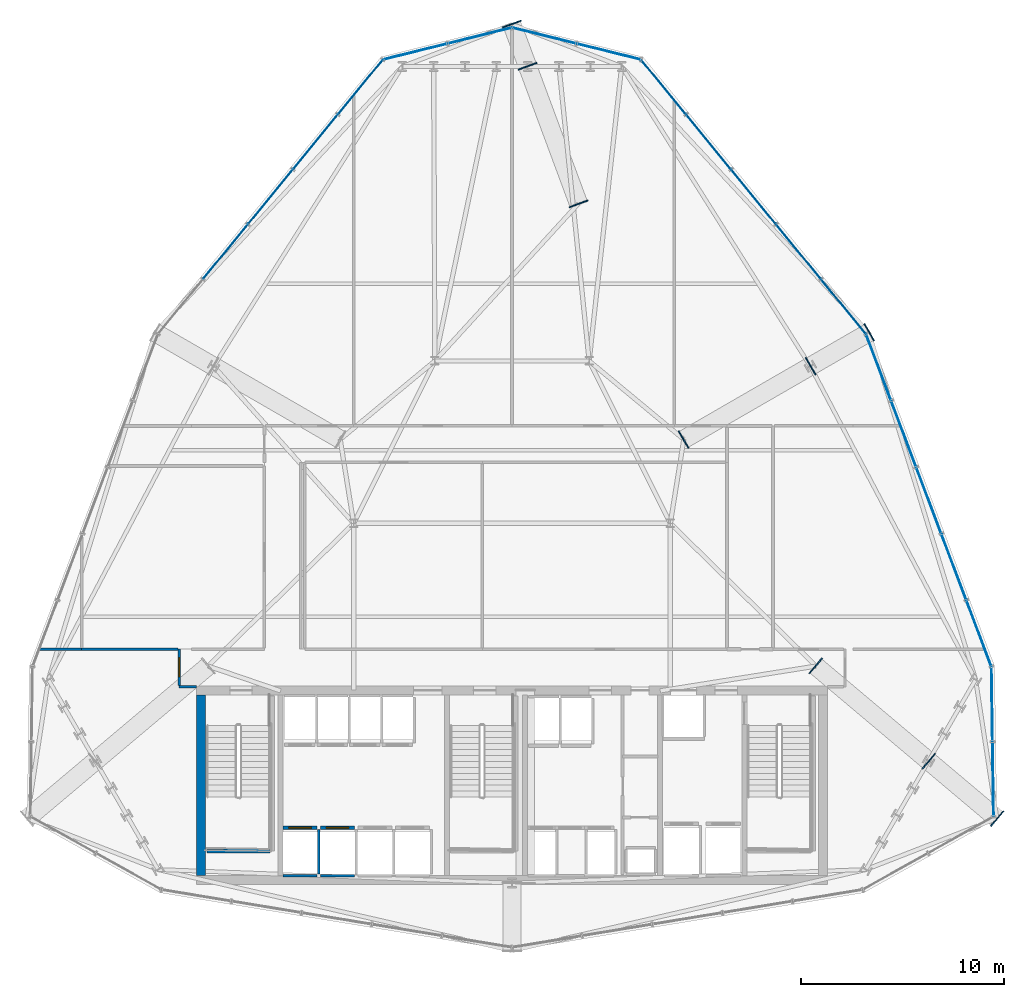
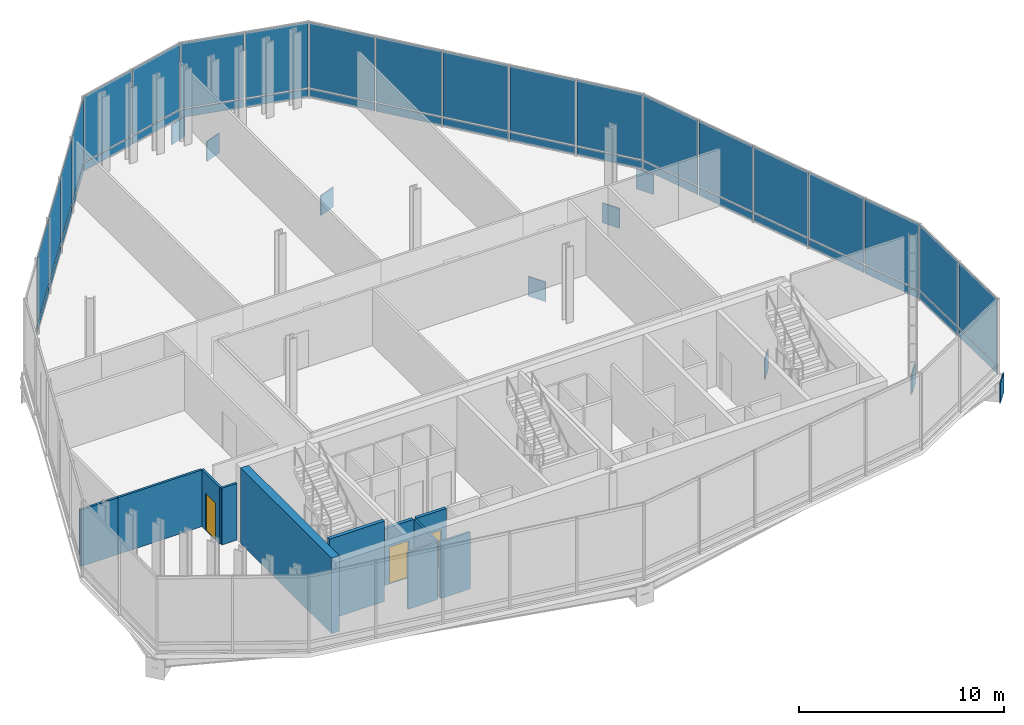
# One storey, part 20 of 26: 49 plates, 11 walls, 3 doors, 3 openings, 6 elements without a shape of their own.
"""IFC4 building model written with IfcOpenShell, lengths in metres."""

from ifc_helpers import new_model, si_unit, direction, frame, frame_2d, origin, origin_2d, place, context, subcontext, project, spatial, rectangle, extrude, material, layer, layer_set, type_object, element, fill, aggregate, save


model = new_model("IFC4")

# Units and contexts
model_context = context("Model", 3, precision=1e-05, world=origin(), true_north=direction((0.0, 1.0)))
body_context = subcontext(model_context, "Body", "Model", "MODEL_VIEW")
ifc_project = project(units=[si_unit("LENGTHUNIT", "METRE"), si_unit("AREAUNIT", "SQUARE_METRE"), si_unit("VOLUMEUNIT", "CUBIC_METRE"), si_unit("PLANEANGLEUNIT", "RADIAN"), si_unit("MASSUNIT", "GRAM", prefix="KILO")], contexts=[model_context])

# Site, building, storey
site_placement = place(None, origin())
site = spatial("IfcSite", under=ifc_project, at=site_placement, CompositionType="ELEMENT")
building_placement = place(site_placement, origin())
building = spatial("IfcBuilding", under=site, at=building_placement, Name="Ndaravel Arena Tower", CompositionType="ELEMENT")
storey_placement = place(building_placement, frame((0.0, 0.0, 117.39990234375)))
storey = spatial("IfcBuildingStorey", under=building, at=storey_placement, Name="L27", CompositionType="ELEMENT", Elevation=117.39990234375)

# Plates
ifc_material_1 = material(Name="Steel S460", Category="steel")
ifc_layer_1 = layer(ifc_material_1, 0.06005859375)
ifc_layer_set_1 = layer_set([ifc_layer_1], Name="Steel S460")
plate_type_1 = type_object("IfcPlateType", Name="PLT-CAP-STF1", PredefinedType="USERDEFINED", material=ifc_layer_set_1)
for number, where, z_axis, x_axis, name in (
    (1, (56.96044921875, 16.17919921875, -1.419921875), (0.0, 0.0, 1.0), (0.764808968487, -0.64425712392, 0.0), "L27 Hollow Section Sealed End Cap Plate HCP-008"),
    (2, (62.533935546875, 11.48486328125, -1.419921875), (0.0, 0.0, 1.0), (0.764808968487, -0.64425712392, 0.0), "L27 Hollow Section Sealed End Cap Plate HCP-009"),
    (3, (65.89794921875, 8.651611328125, -1.419921875), (0.0, 0.0, 1.0), (0.764808968487, -0.64425712392, 0.0), "L27 Hollow Section Sealed End Cap Plate HCP-010"),
    (4, (50.449951171875, 27.330810546875, -1.419921875), (0.0, 0.0, 1.0), (0.866025403784, 0.5, 0.0), "L27 Hollow Section Sealed End Cap Plate HCP-011"),
    (5, (56.711181640625, 30.94580078125, -1.419921875), (0.0, 0.0, 1.0), (0.866025403784, 0.5, 0.0), "L27 Hollow Section Sealed End Cap Plate HCP-012"),
    (6, (59.59521484375, 32.61083984375, -1.419921875), (0.0, 0.0, 1.0), (0.866025403784, 0.5, 0.0), "L27 Hollow Section Sealed End Cap Plate HCP-013"),
    (7, (45.281494140625, 38.939453125, -1.419921875), (0.0, 0.0, 1.0), (-0.347917616161, 0.937525110258, 0.0), "L27 Hollow Section Sealed End Cap Plate HCP-014"),
    (8, (42.7666015625, 45.718017578125, -1.419921875), (0.0, 0.0, 1.0), (-0.347917616161, 0.937525110258, 0.0), "L27 Hollow Section Sealed End Cap Plate HCP-015"),
    (9, (41.994873046875, 47.798095703125, -1.419921875), (0.0, 0.0, 1.0), (-0.347917616161, 0.937525110258, 0.0), "L27 Hollow Section Sealed End Cap Plate HCP-016"),
):
    element("IfcPlate", number, at=place(storey_placement, frame(where, z_axis=z_axis, x_axis=x_axis)), inside=storey, type_object=plate_type_1, Name=name, ObjectType="STIFFENER_PLATE", PredefinedType="USERDEFINED", context=body_context, shape_type="SweptSolid", body=[
        extrude(rectangle(XDim=0.06005859375, YDim=0.97998046875, at=origin_2d()), origin(), (0.0, 0.0, 1.0), 1.179931640625),
    ])

# Curtain wall, plates
ifc_material_2 = material(Name="Aluminium", Category="aluminium")
ifc_layer_2 = layer(ifc_material_2, 0.179931640625)
ifc_layer_set_2 = layer_set([ifc_layer_2], Name="Aluminium")
curtain_wall_type = type_object("IfcCurtainWallType", Name="CW-SYS-04", PredefinedType="NOTDEFINED", material=ifc_layer_set_2)
curtain_wall_1_placement = place(storey_placement, origin())
curtain_wall_1 = element("IfcCurtainWall", 10, at=curtain_wall_1_placement, inside=storey, type_object=curtain_wall_type, Name="L27 Faceted Crystal Curtain Wall CW-L27-E05", PredefinedType="NOTDEFINED")
ifc_material_3 = material(Name="Glazing", Category="glass")
ifc_layer_3 = layer(ifc_material_3, 0.0400390625)
ifc_layer_set_3 = layer_set([ifc_layer_3], Name="Glazing")
plate_type_2 = type_object("IfcPlateType", Name="PLT-GLZ-LOWIRON", PredefinedType="CURTAIN_PANEL", material=ifc_layer_set_3)
plate_1_placement = place(storey_placement, frame((65.6982421875, 10.601318359375, 0.59033203125), z_axis=(0.0, 0.0, 1.0), x_axis=(-0.014503177598, 0.999894823389, 0.0)))
plate_1 = element("IfcPlate", 11, at=plate_1_placement, type_object=plate_type_2, Name="CW-L27-E05 Vision Glass Panel 01", PredefinedType="CURTAIN_PANEL", context=body_context, shape_type="SweptSolid", body=[
    extrude(rectangle(XDim=3.6142578125, YDim=0.035888671875, at=origin_2d()), origin(), (0.0, 0.0, 1.0), 3.889892578125),
])
plate_2_placement = place(storey_placement, frame((65.644775390625, 14.29541015625, 0.59033203125), z_axis=(0.0, 0.0, 1.0), x_axis=(-0.014503177598, 0.999894823389, 0.0)))
plate_2 = element("IfcPlate", 12, at=plate_2_placement, type_object=plate_type_2, Name="CW-L27-E05 Vision Glass Panel 02", PredefinedType="CURTAIN_PANEL", context=body_context, shape_type="SweptSolid", body=[
    extrude(rectangle(XDim=3.6142578125, YDim=0.035888671875, at=origin_2d()), origin(), (0.0, 0.0, 1.0), 3.889892578125),
])

curtain_wall_2_placement = place(storey_placement, origin())
curtain_wall_2 = element("IfcCurtainWall", 13, at=curtain_wall_2_placement, inside=storey, type_object=curtain_wall_type, Name="L27 Faceted Crystal Curtain Wall CW-L27-E06", PredefinedType="NOTDEFINED")
plate_3_placement = place(storey_placement, frame((65.00048828125, 17.7802734375, 0.59033203125), z_axis=(0.0, 0.0, 1.0), x_axis=(-0.352805363625, 0.935696732599, 0.0)))
plate_3 = element("IfcPlate", 14, at=plate_3_placement, type_object=plate_type_2, Name="CW-L27-E06 Vision Glass Panel 01", PredefinedType="CURTAIN_PANEL", context=body_context, shape_type="SweptSolid", body=[
    extrude(rectangle(XDim=3.421142578125, YDim=0.035888671875, at=origin_2d()), origin(), (0.0, 0.0, 1.0), 3.889892578125),
])
plate_4_placement = place(storey_placement, frame((63.76513671875, 21.056396484375, 0.59033203125), z_axis=(0.0, 0.0, 1.0), x_axis=(-0.352805363625, 0.935696732599, 0.0)))
plate_4 = element("IfcPlate", 15, at=plate_4_placement, type_object=plate_type_2, Name="CW-L27-E06 Vision Glass Panel 02", PredefinedType="CURTAIN_PANEL", context=body_context, shape_type="SweptSolid", body=[
    extrude(rectangle(XDim=3.421142578125, YDim=0.035888671875, at=origin_2d()), origin(), (0.0, 0.0, 1.0), 3.889892578125),
])
plate_5_placement = place(storey_placement, frame((62.52978515625, 24.332275390625, 0.59033203125), z_axis=(0.0, 0.0, 1.0), x_axis=(-0.352805363625, 0.935696732599, 0.0)))
plate_5 = element("IfcPlate", 16, at=plate_5_placement, type_object=plate_type_2, Name="CW-L27-E06 Vision Glass Panel 03", PredefinedType="CURTAIN_PANEL", context=body_context, shape_type="SweptSolid", body=[
    extrude(rectangle(XDim=3.421142578125, YDim=0.035888671875, at=origin_2d()), origin(), (0.0, 0.0, 1.0), 3.889892578125),
])
plate_6_placement = place(storey_placement, frame((61.294677734375, 27.608154296875, 0.59033203125), z_axis=(0.0, 0.0, 1.0), x_axis=(-0.352805363625, 0.935696732599, 0.0)))
plate_6 = element("IfcPlate", 17, at=plate_6_placement, type_object=plate_type_2, Name="CW-L27-E06 Vision Glass Panel 04", PredefinedType="CURTAIN_PANEL", context=body_context, shape_type="SweptSolid", body=[
    extrude(rectangle(XDim=3.421142578125, YDim=0.035888671875, at=origin_2d()), origin(), (0.0, 0.0, 1.0), 3.889892578125),
])
plate_7_placement = place(storey_placement, frame((60.059326171875, 30.88427734375, 0.59033203125), z_axis=(0.0, 0.0, 1.0), x_axis=(-0.352805363625, 0.935696732599, 0.0)))
plate_7 = element("IfcPlate", 18, at=plate_7_placement, type_object=plate_type_2, Name="CW-L27-E06 Vision Glass Panel 05", PredefinedType="CURTAIN_PANEL", context=body_context, shape_type="SweptSolid", body=[
    extrude(rectangle(XDim=3.421142578125, YDim=0.035888671875, at=origin_2d()), origin(), (0.0, 0.0, 1.0), 3.889892578125),
])

curtain_wall_3_placement = place(storey_placement, origin())
curtain_wall_3 = element("IfcCurtainWall", 19, at=curtain_wall_3_placement, inside=storey, type_object=curtain_wall_type, Name="L27 Faceted Crystal Curtain Wall CW-L27-E07", PredefinedType="NOTDEFINED")
plate_8_placement = place(storey_placement, frame((58.333740234375, 33.8740234375, 0.59033203125), z_axis=(0.0, 0.0, 1.0), x_axis=(-0.633934458857, 0.773386773791, 0.0)))
plate_8 = element("IfcPlate", 20, at=plate_8_placement, type_object=plate_type_2, Name="CW-L27-E07 Vision Glass Panel 01", PredefinedType="CURTAIN_PANEL", context=body_context, shape_type="SweptSolid", body=[
    extrude(rectangle(XDim=3.416015625, YDim=0.035888671875, at=origin_2d()), origin(), (0.0, 0.0, 1.0), 3.889892578125),
])
plate_9_placement = place(storey_placement, frame((56.117431640625, 36.577880859375, 0.59033203125), z_axis=(0.0, 0.0, 1.0), x_axis=(-0.633934458857, 0.773386773791, 0.0)))
plate_9 = element("IfcPlate", 21, at=plate_9_placement, type_object=plate_type_2, Name="CW-L27-E07 Vision Glass Panel 02", PredefinedType="CURTAIN_PANEL", context=body_context, shape_type="SweptSolid", body=[
    extrude(rectangle(XDim=3.416015625, YDim=0.035888671875, at=origin_2d()), origin(), (0.0, 0.0, 1.0), 3.889892578125),
])
plate_10_placement = place(storey_placement, frame((53.901123046875, 39.28173828125, 0.59033203125), z_axis=(0.0, 0.0, 1.0), x_axis=(-0.633934458857, 0.773386773791, 0.0)))
plate_10 = element("IfcPlate", 22, at=plate_10_placement, type_object=plate_type_2, Name="CW-L27-E07 Vision Glass Panel 03", PredefinedType="CURTAIN_PANEL", context=body_context, shape_type="SweptSolid", body=[
    extrude(rectangle(XDim=3.416015625, YDim=0.035888671875, at=origin_2d()), origin(), (0.0, 0.0, 1.0), 3.889892578125),
])
plate_11_placement = place(storey_placement, frame((51.684814453125, 41.985595703125, 0.59033203125), z_axis=(0.0, 0.0, 1.0), x_axis=(-0.633934458857, 0.773386773791, 0.0)))
plate_11 = element("IfcPlate", 23, at=plate_11_placement, type_object=plate_type_2, Name="CW-L27-E07 Vision Glass Panel 04", PredefinedType="CURTAIN_PANEL", context=body_context, shape_type="SweptSolid", body=[
    extrude(rectangle(XDim=3.416015625, YDim=0.035888671875, at=origin_2d()), origin(), (0.0, 0.0, 1.0), 3.889892578125),
])
plate_12_placement = place(storey_placement, frame((49.468505859375, 44.689697265625, 0.59033203125), z_axis=(0.0, 0.0, 1.0), x_axis=(-0.633934458857, 0.773386773791, 0.0)))
plate_12 = element("IfcPlate", 24, at=plate_12_placement, type_object=plate_type_2, Name="CW-L27-E07 Vision Glass Panel 05", PredefinedType="CURTAIN_PANEL", context=body_context, shape_type="SweptSolid", body=[
    extrude(rectangle(XDim=3.416015625, YDim=0.035888671875, at=origin_2d()), origin(), (0.0, 0.0, 1.0), 3.889892578125),
])

curtain_wall_4_placement = place(storey_placement, origin())
curtain_wall_4 = element("IfcCurtainWall", 25, at=curtain_wall_4_placement, inside=storey, type_object=curtain_wall_type, Name="L27 Faceted Crystal Curtain Wall CW-L27-E08", PredefinedType="NOTDEFINED")
plate_13_placement = place(storey_placement, frame((46.770263671875, 46.435791015625, 0.59033203125), z_axis=(0.0, 0.0, 1.0), x_axis=(-0.970586363623, 0.24075321545, 0.0)))
plate_13 = element("IfcPlate", 26, at=plate_13_placement, type_object=plate_type_2, Name="CW-L27-E08 Vision Glass Panel 01", PredefinedType="CURTAIN_PANEL", context=body_context, shape_type="SweptSolid", body=[
    extrude(rectangle(XDim=3.196533203125, YDim=0.035888671875, at=origin_2d()), origin(), (0.0, 0.0, 1.0), 3.889892578125),
])
plate_14_placement = place(storey_placement, frame((43.590087890625, 47.224853515625, 0.59033203125), z_axis=(0.0, 0.0, 1.0), x_axis=(-0.970586363623, 0.24075321545, 0.0)))
plate_14 = element("IfcPlate", 27, at=plate_14_placement, type_object=plate_type_2, Name="CW-L27-E08 Vision Glass Panel 02", PredefinedType="CURTAIN_PANEL", context=body_context, shape_type="SweptSolid", body=[
    extrude(rectangle(XDim=3.196533203125, YDim=0.035888671875, at=origin_2d()), origin(), (0.0, 0.0, 1.0), 3.889892578125),
])

curtain_wall_5_placement = place(storey_placement, origin())
curtain_wall_5 = element("IfcCurtainWall", 28, at=curtain_wall_5_placement, inside=storey, type_object=curtain_wall_type, Name="L27 Faceted Crystal Curtain Wall CW-L27-E09", PredefinedType="NOTDEFINED")
plate_15_placement = place(storey_placement, frame((40.409912109375, 47.224853515625, 0.59033203125), z_axis=(0.0, 0.0, 1.0), x_axis=(-0.970586363623, -0.24075321545, 0.0)))
plate_15 = element("IfcPlate", 29, at=plate_15_placement, type_object=plate_type_2, Name="CW-L27-E09 Vision Glass Panel 01", PredefinedType="CURTAIN_PANEL", context=body_context, shape_type="SweptSolid", body=[
    extrude(rectangle(XDim=3.196533203125, YDim=0.035888671875, at=origin_2d()), origin(), (0.0, 0.0, 1.0), 3.889892578125),
])
plate_16_placement = place(storey_placement, frame((37.229736328125, 46.435791015625, 0.59033203125), z_axis=(0.0, 0.0, 1.0), x_axis=(-0.970586363623, -0.24075321545, 0.0)))
plate_16 = element("IfcPlate", 30, at=plate_16_placement, type_object=plate_type_2, Name="CW-L27-E09 Vision Glass Panel 02", PredefinedType="CURTAIN_PANEL", context=body_context, shape_type="SweptSolid", body=[
    extrude(rectangle(XDim=3.196533203125, YDim=0.035888671875, at=origin_2d()), origin(), (0.0, 0.0, 1.0), 3.889892578125),
])

curtain_wall_6_placement = place(storey_placement, origin())
curtain_wall_6 = element("IfcCurtainWall", 31, at=curtain_wall_6_placement, inside=storey, type_object=curtain_wall_type, Name="L27 Faceted Crystal Curtain Wall CW-L27-E10", PredefinedType="NOTDEFINED")
plate_17_placement = place(storey_placement, frame((34.531494140625, 44.689697265625, 0.59033203125), z_axis=(0.0, 0.0, 1.0), x_axis=(-0.633934458857, -0.773386773791, 0.0)))
plate_17 = element("IfcPlate", 32, at=plate_17_placement, type_object=plate_type_2, Name="CW-L27-E10 Vision Glass Panel 01", PredefinedType="CURTAIN_PANEL", context=body_context, shape_type="SweptSolid", body=[
    extrude(rectangle(XDim=3.416015625, YDim=0.035888671875, at=origin_2d()), origin(), (0.0, 0.0, 1.0), 3.889892578125),
])
plate_18_placement = place(storey_placement, frame((32.315185546875, 41.985595703125, 0.59033203125), z_axis=(0.0, 0.0, 1.0), x_axis=(-0.633934458857, -0.773386773791, 0.0)))
plate_18 = element("IfcPlate", 33, at=plate_18_placement, type_object=plate_type_2, Name="CW-L27-E10 Vision Glass Panel 02", PredefinedType="CURTAIN_PANEL", context=body_context, shape_type="SweptSolid", body=[
    extrude(rectangle(XDim=3.416015625, YDim=0.035888671875, at=origin_2d()), origin(), (0.0, 0.0, 1.0), 3.889892578125),
])
plate_19_placement = place(storey_placement, frame((30.098876953125, 39.28173828125, 0.59033203125), z_axis=(0.0, 0.0, 1.0), x_axis=(-0.633934458857, -0.773386773791, 0.0)))
plate_19 = element("IfcPlate", 34, at=plate_19_placement, type_object=plate_type_2, Name="CW-L27-E10 Vision Glass Panel 03", PredefinedType="CURTAIN_PANEL", context=body_context, shape_type="SweptSolid", body=[
    extrude(rectangle(XDim=3.416015625, YDim=0.035888671875, at=origin_2d()), origin(), (0.0, 0.0, 1.0), 3.889892578125),
])
plate_20_placement = place(storey_placement, frame((27.882568359375, 36.577880859375, 0.59033203125), z_axis=(0.0, 0.0, 1.0), x_axis=(-0.633934458857, -0.773386773791, 0.0)))
plate_20 = element("IfcPlate", 35, at=plate_20_placement, type_object=plate_type_2, Name="CW-L27-E10 Vision Glass Panel 04", PredefinedType="CURTAIN_PANEL", context=body_context, shape_type="SweptSolid", body=[
    extrude(rectangle(XDim=3.416015625, YDim=0.035888671875, at=origin_2d()), origin(), (0.0, 0.0, 1.0), 3.889892578125),
])

# Plate
ifc_material_4 = material(Name="Aluminium", Category="aluminium")
ifc_layer_4 = layer(ifc_material_4, 0.044921875)
ifc_layer_set_4 = layer_set([ifc_layer_4], Name="Aluminium")
plate_type_3 = type_object("IfcPlateType", Name="PLT-SPANDREL-ALU", PredefinedType="SHEET", material=ifc_layer_set_4)
plate_21_placement = place(storey_placement, frame((65.6982421875, 10.601318359375, 0.0400390625), z_axis=(0.0, 0.0, 1.0), x_axis=(-0.014503177598, 0.999894823389, 0.0)))
plate_21 = element("IfcPlate", 36, at=plate_21_placement, type_object=plate_type_3, Name="CW-L27-E05 Spandrel Panel 01", PredefinedType="SHEET", context=body_context, shape_type="SweptSolid", body=[
    extrude(rectangle(XDim=3.6142578125, YDim=0.044921875, at=origin_2d()), origin(), (0.0, 0.0, 1.0), 0.469970703125),
])

plate_22_placement = place(storey_placement, frame((65.644775390625, 14.29541015625, 0.0400390625), z_axis=(0.0, 0.0, 1.0), x_axis=(-0.014503177598, 0.999894823389, 0.0)))
plate_22 = element("IfcPlate", 37, at=plate_22_placement, type_object=plate_type_3, Name="CW-L27-E05 Spandrel Panel 02", PredefinedType="SHEET", context=body_context, shape_type="SweptSolid", body=[
    extrude(rectangle(XDim=3.6142578125, YDim=0.044921875, at=origin_2d()), origin(), (0.0, 0.0, 1.0), 0.469970703125),
])

aggregate(curtain_wall_1, [plate_21, plate_1, plate_22, plate_2])

plate_23_placement = place(storey_placement, frame((65.00048828125, 17.7802734375, 0.0400390625), z_axis=(0.0, 0.0, 1.0), x_axis=(-0.352805363625, 0.935696732599, 0.0)))
plate_23 = element("IfcPlate", 38, at=plate_23_placement, type_object=plate_type_3, Name="CW-L27-E06 Spandrel Panel 01", PredefinedType="SHEET", context=body_context, shape_type="SweptSolid", body=[
    extrude(rectangle(XDim=3.421142578125, YDim=0.044921875, at=origin_2d()), origin(), (0.0, 0.0, 1.0), 0.469970703125),
])

plate_24_placement = place(storey_placement, frame((63.76513671875, 21.056396484375, 0.0400390625), z_axis=(0.0, 0.0, 1.0), x_axis=(-0.352805363625, 0.935696732599, 0.0)))
plate_24 = element("IfcPlate", 39, at=plate_24_placement, type_object=plate_type_3, Name="CW-L27-E06 Spandrel Panel 02", PredefinedType="SHEET", context=body_context, shape_type="SweptSolid", body=[
    extrude(rectangle(XDim=3.421142578125, YDim=0.044921875, at=origin_2d()), origin(), (0.0, 0.0, 1.0), 0.469970703125),
])

plate_25_placement = place(storey_placement, frame((62.52978515625, 24.332275390625, 0.0400390625), z_axis=(0.0, 0.0, 1.0), x_axis=(-0.352805363625, 0.935696732599, 0.0)))
plate_25 = element("IfcPlate", 40, at=plate_25_placement, type_object=plate_type_3, Name="CW-L27-E06 Spandrel Panel 03", PredefinedType="SHEET", context=body_context, shape_type="SweptSolid", body=[
    extrude(rectangle(XDim=3.421142578125, YDim=0.044921875, at=origin_2d()), origin(), (0.0, 0.0, 1.0), 0.469970703125),
])

plate_26_placement = place(storey_placement, frame((61.294677734375, 27.608154296875, 0.0400390625), z_axis=(0.0, 0.0, 1.0), x_axis=(-0.352805363625, 0.935696732599, 0.0)))
plate_26 = element("IfcPlate", 41, at=plate_26_placement, type_object=plate_type_3, Name="CW-L27-E06 Spandrel Panel 04", PredefinedType="SHEET", context=body_context, shape_type="SweptSolid", body=[
    extrude(rectangle(XDim=3.421142578125, YDim=0.044921875, at=origin_2d()), origin(), (0.0, 0.0, 1.0), 0.469970703125),
])

plate_27_placement = place(storey_placement, frame((60.059326171875, 30.88427734375, 0.0400390625), z_axis=(0.0, 0.0, 1.0), x_axis=(-0.352805363625, 0.935696732599, 0.0)))
plate_27 = element("IfcPlate", 42, at=plate_27_placement, type_object=plate_type_3, Name="CW-L27-E06 Spandrel Panel 05", PredefinedType="SHEET", context=body_context, shape_type="SweptSolid", body=[
    extrude(rectangle(XDim=3.421142578125, YDim=0.044921875, at=origin_2d()), origin(), (0.0, 0.0, 1.0), 0.469970703125),
])

aggregate(curtain_wall_2, [plate_23, plate_3, plate_24, plate_4, plate_25, plate_5, plate_26, plate_6, plate_27, plate_7])

plate_28_placement = place(storey_placement, frame((58.333740234375, 33.8740234375, 0.0400390625), z_axis=(0.0, 0.0, 1.0), x_axis=(-0.633934458857, 0.773386773791, 0.0)))
plate_28 = element("IfcPlate", 43, at=plate_28_placement, type_object=plate_type_3, Name="CW-L27-E07 Spandrel Panel 01", PredefinedType="SHEET", context=body_context, shape_type="SweptSolid", body=[
    extrude(rectangle(XDim=3.416015625, YDim=0.044921875, at=origin_2d()), origin(), (0.0, 0.0, 1.0), 0.469970703125),
])

plate_29_placement = place(storey_placement, frame((56.117431640625, 36.577880859375, 0.0400390625), z_axis=(0.0, 0.0, 1.0), x_axis=(-0.633934458857, 0.773386773791, 0.0)))
plate_29 = element("IfcPlate", 44, at=plate_29_placement, type_object=plate_type_3, Name="CW-L27-E07 Spandrel Panel 02", PredefinedType="SHEET", context=body_context, shape_type="SweptSolid", body=[
    extrude(rectangle(XDim=3.416015625, YDim=0.044921875, at=origin_2d()), origin(), (0.0, 0.0, 1.0), 0.469970703125),
])

plate_30_placement = place(storey_placement, frame((53.901123046875, 39.28173828125, 0.0400390625), z_axis=(0.0, 0.0, 1.0), x_axis=(-0.633934458857, 0.773386773791, 0.0)))
plate_30 = element("IfcPlate", 45, at=plate_30_placement, type_object=plate_type_3, Name="CW-L27-E07 Spandrel Panel 03", PredefinedType="SHEET", context=body_context, shape_type="SweptSolid", body=[
    extrude(rectangle(XDim=3.416015625, YDim=0.044921875, at=origin_2d()), origin(), (0.0, 0.0, 1.0), 0.469970703125),
])

plate_31_placement = place(storey_placement, frame((51.684814453125, 41.985595703125, 0.0400390625), z_axis=(0.0, 0.0, 1.0), x_axis=(-0.633934458857, 0.773386773791, 0.0)))
plate_31 = element("IfcPlate", 46, at=plate_31_placement, type_object=plate_type_3, Name="CW-L27-E07 Spandrel Panel 04", PredefinedType="SHEET", context=body_context, shape_type="SweptSolid", body=[
    extrude(rectangle(XDim=3.416015625, YDim=0.044921875, at=origin_2d()), origin(), (0.0, 0.0, 1.0), 0.469970703125),
])

plate_32_placement = place(storey_placement, frame((49.468505859375, 44.689697265625, 0.0400390625), z_axis=(0.0, 0.0, 1.0), x_axis=(-0.633934458857, 0.773386773791, 0.0)))
plate_32 = element("IfcPlate", 47, at=plate_32_placement, type_object=plate_type_3, Name="CW-L27-E07 Spandrel Panel 05", PredefinedType="SHEET", context=body_context, shape_type="SweptSolid", body=[
    extrude(rectangle(XDim=3.416015625, YDim=0.044921875, at=origin_2d()), origin(), (0.0, 0.0, 1.0), 0.469970703125),
])

aggregate(curtain_wall_3, [plate_28, plate_8, plate_29, plate_9, plate_30, plate_10, plate_31, plate_11, plate_32, plate_12])

plate_33_placement = place(storey_placement, frame((46.770263671875, 46.435791015625, 0.0400390625), z_axis=(0.0, 0.0, 1.0), x_axis=(-0.970586363623, 0.24075321545, 0.0)))
plate_33 = element("IfcPlate", 48, at=plate_33_placement, type_object=plate_type_3, Name="CW-L27-E08 Spandrel Panel 01", PredefinedType="SHEET", context=body_context, shape_type="SweptSolid", body=[
    extrude(rectangle(XDim=3.196533203125, YDim=0.044921875, at=origin_2d()), origin(), (0.0, 0.0, 1.0), 0.469970703125),
])

plate_34_placement = place(storey_placement, frame((43.590087890625, 47.224853515625, 0.0400390625), z_axis=(0.0, 0.0, 1.0), x_axis=(-0.970586363623, 0.24075321545, 0.0)))
plate_34 = element("IfcPlate", 49, at=plate_34_placement, type_object=plate_type_3, Name="CW-L27-E08 Spandrel Panel 02", PredefinedType="SHEET", context=body_context, shape_type="SweptSolid", body=[
    extrude(rectangle(XDim=3.196533203125, YDim=0.044921875, at=origin_2d()), origin(), (0.0, 0.0, 1.0), 0.469970703125),
])

aggregate(curtain_wall_4, [plate_33, plate_13, plate_34, plate_14])

plate_35_placement = place(storey_placement, frame((40.409912109375, 47.224853515625, 0.0400390625), z_axis=(0.0, 0.0, 1.0), x_axis=(-0.970586363623, -0.24075321545, 0.0)))
plate_35 = element("IfcPlate", 50, at=plate_35_placement, type_object=plate_type_3, Name="CW-L27-E09 Spandrel Panel 01", PredefinedType="SHEET", context=body_context, shape_type="SweptSolid", body=[
    extrude(rectangle(XDim=3.196533203125, YDim=0.044921875, at=origin_2d()), origin(), (0.0, 0.0, 1.0), 0.469970703125),
])

plate_36_placement = place(storey_placement, frame((37.229736328125, 46.435791015625, 0.0400390625), z_axis=(0.0, 0.0, 1.0), x_axis=(-0.970586363623, -0.24075321545, 0.0)))
plate_36 = element("IfcPlate", 51, at=plate_36_placement, type_object=plate_type_3, Name="CW-L27-E09 Spandrel Panel 02", PredefinedType="SHEET", context=body_context, shape_type="SweptSolid", body=[
    extrude(rectangle(XDim=3.196533203125, YDim=0.044921875, at=origin_2d()), origin(), (0.0, 0.0, 1.0), 0.469970703125),
])

aggregate(curtain_wall_5, [plate_35, plate_15, plate_36, plate_16])

plate_37_placement = place(storey_placement, frame((34.531494140625, 44.689697265625, 0.0400390625), z_axis=(0.0, 0.0, 1.0), x_axis=(-0.633934458857, -0.773386773791, 0.0)))
plate_37 = element("IfcPlate", 52, at=plate_37_placement, type_object=plate_type_3, Name="CW-L27-E10 Spandrel Panel 01", PredefinedType="SHEET", context=body_context, shape_type="SweptSolid", body=[
    extrude(rectangle(XDim=3.416015625, YDim=0.044921875, at=origin_2d()), origin(), (0.0, 0.0, 1.0), 0.469970703125),
])

plate_38_placement = place(storey_placement, frame((32.315185546875, 41.985595703125, 0.0400390625), z_axis=(0.0, 0.0, 1.0), x_axis=(-0.633934458857, -0.773386773791, 0.0)))
plate_38 = element("IfcPlate", 53, at=plate_38_placement, type_object=plate_type_3, Name="CW-L27-E10 Spandrel Panel 02", PredefinedType="SHEET", context=body_context, shape_type="SweptSolid", body=[
    extrude(rectangle(XDim=3.416015625, YDim=0.044921875, at=origin_2d()), origin(), (0.0, 0.0, 1.0), 0.469970703125),
])

plate_39_placement = place(storey_placement, frame((30.098876953125, 39.28173828125, 0.0400390625), z_axis=(0.0, 0.0, 1.0), x_axis=(-0.633934458857, -0.773386773791, 0.0)))
plate_39 = element("IfcPlate", 54, at=plate_39_placement, type_object=plate_type_3, Name="CW-L27-E10 Spandrel Panel 03", PredefinedType="SHEET", context=body_context, shape_type="SweptSolid", body=[
    extrude(rectangle(XDim=3.416015625, YDim=0.044921875, at=origin_2d()), origin(), (0.0, 0.0, 1.0), 0.469970703125),
])

plate_40_placement = place(storey_placement, frame((27.882568359375, 36.577880859375, 0.0400390625), z_axis=(0.0, 0.0, 1.0), x_axis=(-0.633934458857, -0.773386773791, 0.0)))
plate_40 = element("IfcPlate", 55, at=plate_40_placement, type_object=plate_type_3, Name="CW-L27-E10 Spandrel Panel 04", PredefinedType="SHEET", context=body_context, shape_type="SweptSolid", body=[
    extrude(rectangle(XDim=3.416015625, YDim=0.044921875, at=origin_2d()), origin(), (0.0, 0.0, 1.0), 0.469970703125),
])

aggregate(curtain_wall_6, [plate_37, plate_17, plate_38, plate_18, plate_39, plate_19, plate_40, plate_20])

# Walls
ifc_material_5 = material(Name="Concrete C60/75", Category="concrete")
ifc_layer_5 = layer(ifc_material_5, 0.449951171875)
ifc_layer_set_5 = layer_set([ifc_layer_5], Name="Concrete C60/75")
wall_type_1 = type_object("IfcWallType", Name="WALL-CORE-450", PredefinedType="SOLIDWALL", material=ifc_layer_set_5)
wall_1_placement = place(storey_placement, frame((26.675048828125, 5.85009765625, 0.0), z_axis=(0.0, 0.0, 1.0), x_axis=(0.0, 1.0, 0.0)))
element("IfcWall", 56, at=wall_1_placement, inside=storey, type_object=wall_type_1, Name="L27 Core West Shear Wall", PredefinedType="SOLIDWALL", context=body_context, shape_type="SweptSolid", body=[
    extrude(rectangle(XDim=8.89990234375, YDim=0.449951171875, at=frame_2d((4.449951171875, 0.0))), origin(), (0.0, 0.0, 1.0), 4.52001953125),
])
ifc_material_6 = material(Name="Gypsum", Category="gypsum")
ifc_layer_6 = layer(ifc_material_6, 0.125)
ifc_layer_set_6 = layer_set([ifc_layer_6], Name="Gypsum")
wall_type_2 = type_object("IfcWallType", Name="WALL-PART-125", PredefinedType="PARTITIONING", material=ifc_layer_set_6)
wall_2_placement = place(storey_placement, frame((26.449951171875, 15.14990234375, 0.0), z_axis=(0.0, 0.0, 1.0), x_axis=(-1.0, 0.0, 0.0)))
element("IfcWall", 57, at=wall_2_placement, inside=storey, type_object=wall_type_2, Name="L27 Interior Partition 003", PredefinedType="PARTITIONING", context=body_context, shape_type="SweptSolid", body=[
    extrude(rectangle(XDim=0.849853515625, YDim=0.125, at=frame_2d((0.4248046875, 0.0))), origin(), (0.0, 0.0, 1.0), 3.39013671875),
])

# Wall, opening, door
wall_3_placement = place(storey_placement, frame((25.60009765625, 15.215087890625, 0.0), z_axis=(0.0, 0.0, 1.0), x_axis=(0.0, 1.0, 0.0)))
wall_3 = element("IfcWall", 58, at=wall_3_placement, inside=storey, type_object=wall_type_2, Name="L27 Interior Partition 004", PredefinedType="PARTITIONING", context=body_context, shape_type="SweptSolid", body=[
    extrude(rectangle(XDim=1.784912109375, YDim=0.125, at=frame_2d((0.892578125, 0.0))), origin(), (0.0, 0.0, 1.0), 3.39013671875),
])
opening_1_placement = place(wall_3_placement, frame((0.41748046875, 0.0, 0.0)))
opening_1 = element("IfcOpeningElement", 59, at=opening_1_placement, cuts=wall_3, Name="Opening ID-01", PredefinedType="OPENING", context=body_context, shape_type="SweptSolid", body=[
    extrude(rectangle(XDim=0.949951171875, YDim=2.199951171875, at=frame_2d((0.47509765625, 1.10009765625))), frame((0.0, 0.0625, 0.0), z_axis=(0.0, -1.0, 0.0), x_axis=(1.0, 0.0, 0.0)), (0.0, 0.0, 1.0), 0.125),
])
ifc_material_7 = material(Name="Timber", Category="wood")
door_type_1 = type_object("IfcDoorType", Name="DT-03-OFFICE-950", OperationType="SINGLE_SWING_LEFT", PredefinedType="DOOR", material=ifc_material_7)
door_1_placement = place(opening_1_placement, origin())
door_1 = element("IfcDoor", 60, at=door_1_placement, inside=storey, type_object=door_type_1, Name="L27 Open Plan Workplace Door", OperationType="SINGLE_SWING_RIGHT", OverallHeight=2.199951171875, OverallWidth=0.949951171875, PredefinedType="DOOR", context=body_context, shape_type="SweptSolid", body=[
    extrude(rectangle(XDim=0.949951171875, YDim=2.199951171875, at=frame_2d((0.47509765625, 1.10009765625))), frame((0.0, 0.02490234375, 0.0), z_axis=(0.0, -1.0, 0.0), x_axis=(1.0, 0.0, 0.0)), (0.0, 0.0, 1.0), 0.050048828125),
])
fill(opening_1, door_1)

# Walls
wall_4_placement = place(storey_placement, frame((18.705322265625, 17.0, 0.0), z_axis=(0.0, 0.0, 1.0), x_axis=(1.0, 0.0, 0.0)))
element("IfcWall", 61, at=wall_4_placement, inside=storey, type_object=wall_type_2, Name="L27 Interior Partition 021", PredefinedType="PARTITIONING", context=body_context, shape_type="SweptSolid", body=[
    extrude(rectangle(XDim=2.0947265625, YDim=0.125, at=frame_2d((1.04736328125, 0.0))), origin(), (0.0, 0.0, 1.0), 3.39013671875),
])
wall_5_placement = place(storey_placement, frame((20.800048828125, 17.0, 0.0), z_axis=(0.0, 0.0, 1.0), x_axis=(1.0, 0.0, 0.0)))
element("IfcWall", 62, at=wall_5_placement, inside=storey, type_object=wall_type_2, Name="L27 Interior Partition 022", PredefinedType="PARTITIONING", context=body_context, shape_type="SweptSolid", body=[
    extrude(rectangle(XDim=4.73486328125, YDim=0.125, at=frame_2d((2.367431640625, 0.0))), origin(), (0.0, 0.0, 1.0), 3.39013671875),
])
ifc_material_8 = material(Name="Concrete C40/50", Category="concrete")
ifc_layer_7 = layer(ifc_material_8, 0.1201171875)
ifc_layer_set_7 = layer_set([ifc_layer_7], Name="Concrete C40/50")
wall_type_3 = type_object("IfcWallType", Name="WALL-SHAFT-120", PredefinedType="SOLIDWALL", material=ifc_layer_set_7)
wall_6_placement = place(storey_placement, frame((30.72998046875, 5.840087890625, 0.0), z_axis=(0.0, 0.0, 1.0), x_axis=(1.0, 0.0, 0.0)))
element("IfcWall", 63, at=wall_6_placement, inside=storey, type_object=wall_type_3, Name="L27 PL-L1 Shaft Rear Wall", PredefinedType="SOLIDWALL", context=body_context, shape_type="SweptSolid", body=[
    extrude(rectangle(XDim=1.6650390625, YDim=0.1201171875, at=frame_2d((0.83251953125, 0.0))), origin(), (0.0, 0.0, 1.0), 3.39013671875),
])
wall_7_placement = place(storey_placement, frame((32.47509765625, 5.929931640625, 0.0), z_axis=(0.0, 0.0, 1.0), x_axis=(0.0, 1.0, 0.0)))
element("IfcWall", 64, at=wall_7_placement, inside=storey, type_object=wall_type_3, Name="L27 PL-L1 Shaft Side R Wall", PredefinedType="SOLIDWALL", context=body_context, shape_type="SweptSolid", body=[
    extrude(rectangle(XDim=2.18017578125, YDim=0.1201171875, at=frame_2d((1.090087890625, 0.0))), origin(), (0.0, 0.0, 1.0), 3.39013671875),
])
wall_8_placement = place(storey_placement, frame((32.554931640625, 5.840087890625, 0.0), z_axis=(0.0, 0.0, 1.0), x_axis=(1.0, 0.0, 0.0)))
element("IfcWall", 65, at=wall_8_placement, inside=storey, type_object=wall_type_3, Name="L27 PL-L2 Shaft Rear Wall", PredefinedType="SOLIDWALL", context=body_context, shape_type="SweptSolid", body=[
    extrude(rectangle(XDim=1.690185546875, YDim=0.1201171875, at=frame_2d((0.84521484375, 0.0))), origin(), (0.0, 0.0, 1.0), 3.39013671875),
])
ifc_material_9 = material(Name="Concrete C40/50", Category="concrete")
ifc_layer_8 = layer(ifc_material_9, 0.199951171875)
ifc_layer_set_8 = layer_set([ifc_layer_8], Name="Concrete C40/50")
wall_type_4 = type_object("IfcWallType", Name="WALL-SHAFT-200", PredefinedType="SOLIDWALL", material=ifc_layer_set_8)
wall_9_placement = place(storey_placement, frame((26.969970703125, 7.050048828125, 0.0), z_axis=(0.0, 0.0, 1.0), x_axis=(1.0, 0.0, 0.0)))
element("IfcWall", 66, at=wall_9_placement, inside=storey, type_object=wall_type_4, Name="L27 ST-1 Structural Shaft Wall Far", PredefinedType="SOLIDWALL", context=body_context, shape_type="SweptSolid", body=[
    extrude(rectangle(XDim=3.114990234375, YDim=0.199951171875, at=frame_2d((1.5576171875, 0.0))), origin(), (0.0, 0.0, 1.0), 4.800048828125),
])

# Wall, opening, door
wall_10_placement = place(storey_placement, frame((30.72998046875, 8.199951171875, 0.0), z_axis=(0.0, 0.0, 1.0), x_axis=(1.0, 0.0, 0.0)))
wall_10 = element("IfcWall", 67, at=wall_10_placement, inside=storey, type_object=wall_type_4, Name="L27 PL-L1 Shaft Landing Wall", PredefinedType="SOLIDWALL", context=body_context, shape_type="SweptSolid", body=[
    extrude(rectangle(XDim=1.6650390625, YDim=0.179931640625, at=frame_2d((0.83251953125, 0.0))), origin(), (0.0, 0.0, 1.0), 3.39013671875),
])
opening_2_placement = place(wall_10_placement, frame((0.282470703125, 0.0, 0.0)))
opening_2 = element("IfcOpeningElement", 68, at=opening_2_placement, cuts=wall_10, Name="Opening LD-01", PredefinedType="OPENING", context=body_context, shape_type="SweptSolid", body=[
    extrude(rectangle(XDim=1.10009765625, YDim=2.199951171875, at=frame_2d((0.550048828125, 1.10009765625))), frame((0.0, 0.08984375, 0.0), z_axis=(0.0, -1.0, 0.0), x_axis=(1.0, 0.0, 0.0)), (0.0, 0.0, 1.0), 0.179931640625),
])
ifc_material_10 = material(Name="Steel S355", Category="steel")
door_type_2 = type_object("IfcDoorType", Name="DT-06-LIFT-1100", OperationType="SLIDING_TO_LEFT", PredefinedType="DOOR", material=ifc_material_10)
door_2_placement = place(opening_2_placement, origin())
door_2 = element("IfcDoor", 69, at=door_2_placement, inside=storey, type_object=door_type_2, Name="L27 Lift PL-L1 Sliding Landing Door", OperationType="SLIDING_TO_LEFT", OverallHeight=2.199951171875, OverallWidth=1.10009765625, PredefinedType="DOOR", context=body_context, shape_type="SweptSolid", body=[
    extrude(rectangle(XDim=1.10009765625, YDim=2.199951171875, at=frame_2d((0.550048828125, 1.10009765625))), frame((0.0, 0.02490234375, 0.0), z_axis=(0.0, -1.0, 0.0), x_axis=(1.0, 0.0, 0.0)), (0.0, 0.0, 1.0), 0.050048828125),
])
fill(opening_2, door_2)

wall_11_placement = place(storey_placement, frame((32.554931640625, 8.199951171875, 0.0), z_axis=(0.0, 0.0, 1.0), x_axis=(1.0, 0.0, 0.0)))
wall_11 = element("IfcWall", 70, at=wall_11_placement, inside=storey, type_object=wall_type_4, Name="L27 PL-L2 Shaft Landing Wall", PredefinedType="SOLIDWALL", context=body_context, shape_type="SweptSolid", body=[
    extrude(rectangle(XDim=1.690185546875, YDim=0.179931640625, at=frame_2d((0.84521484375, 0.0))), origin(), (0.0, 0.0, 1.0), 3.39013671875),
])
opening_3_placement = place(wall_11_placement, frame((0.294921875, 0.0, 0.0)))
opening_3 = element("IfcOpeningElement", 71, at=opening_3_placement, cuts=wall_11, Name="Opening LD-01", PredefinedType="OPENING", context=body_context, shape_type="SweptSolid", body=[
    extrude(rectangle(XDim=1.10009765625, YDim=2.199951171875, at=frame_2d((0.550048828125, 1.10009765625))), frame((0.0, 0.08984375, 0.0), z_axis=(0.0, -1.0, 0.0), x_axis=(1.0, 0.0, 0.0)), (0.0, 0.0, 1.0), 0.179931640625),
])
door_3_placement = place(opening_3_placement, origin())
door_3 = element("IfcDoor", 72, at=door_3_placement, inside=storey, type_object=door_type_2, Name="L27 Lift PL-L2 Sliding Landing Door", OperationType="SLIDING_TO_LEFT", OverallHeight=2.199951171875, OverallWidth=1.10009765625, PredefinedType="DOOR", context=body_context, shape_type="SweptSolid", body=[
    extrude(rectangle(XDim=1.10009765625, YDim=2.199951171875, at=frame_2d((0.550048828125, 1.10009765625))), frame((0.0, 0.02490234375, 0.0), z_axis=(0.0, -1.0, 0.0), x_axis=(1.0, 0.0, 0.0)), (0.0, 0.0, 1.0), 0.050048828125),
])
fill(opening_3, door_3)

save(model, "model.ifc")
